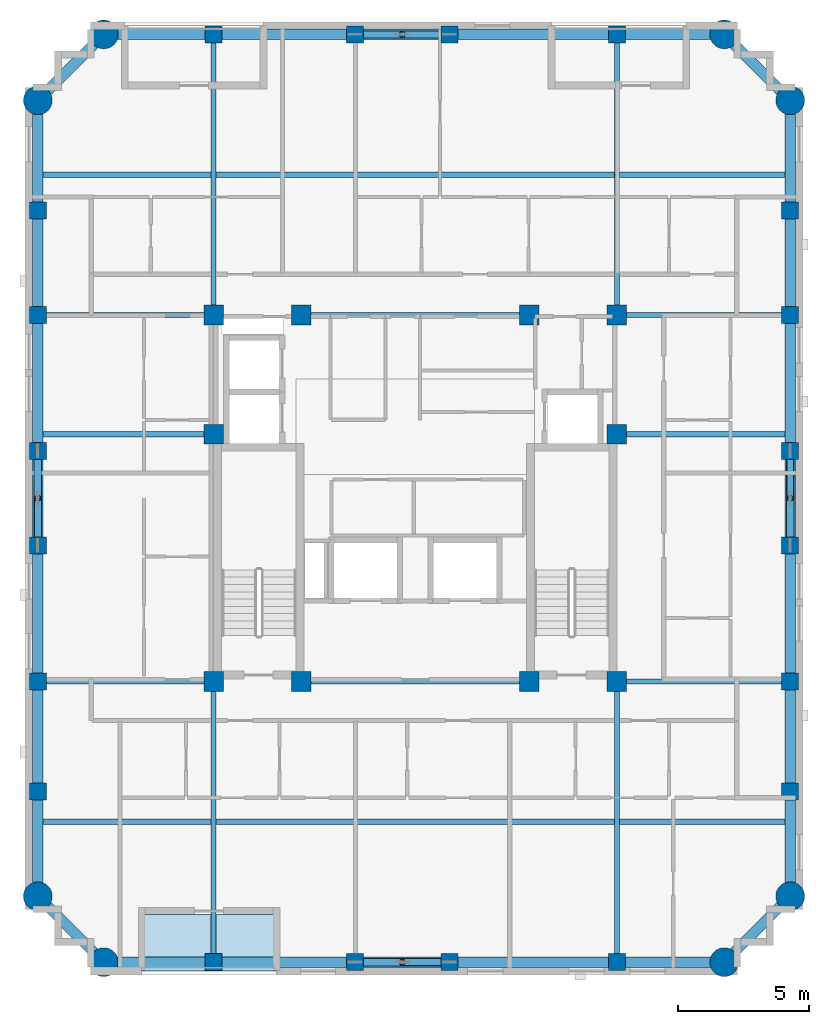
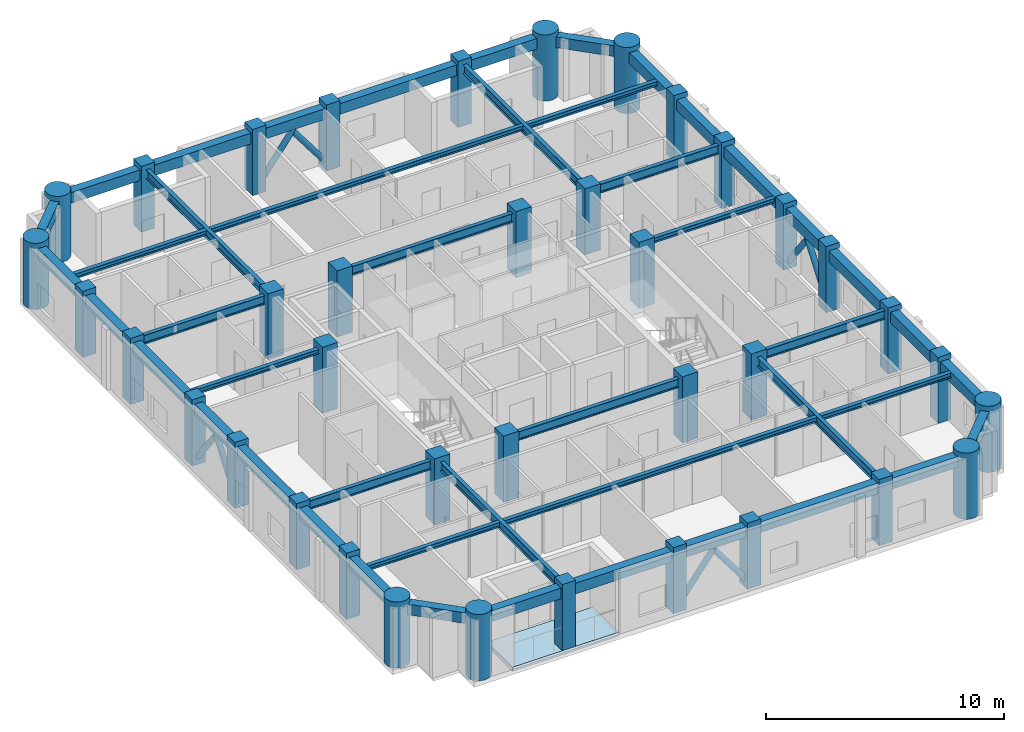
# One storey, part 1 of 10: 46 beams, 38 columns, 8 members, 1 slab.
"""IFC4 building model written with IfcOpenShell, lengths in metres."""

from ifc_helpers import new_model, si_unit, derived_unit, direction, frame, origin, origin_2d, place, context, subcontext, project, spatial, polyline, rectangle, circle, hollow_circle, i_section, outline, extrude, material, layer, layer_set, material_profile, profile_set, type_object, element, save


model = new_model("IFC4")

# Units and contexts
model_context = context("Model", 3, precision=1e-05, world=origin(), true_north=direction((0.0, 1.0)))
body_context = subcontext(model_context, "Body", "Model", "MODEL_VIEW")
ifc_project = project(units=[si_unit("LENGTHUNIT", "METRE"), si_unit("AREAUNIT", "SQUARE_METRE"), si_unit("VOLUMEUNIT", "CUBIC_METRE"), si_unit("PLANEANGLEUNIT", "RADIAN"), si_unit("MASSUNIT", "GRAM", prefix="KILO"), derived_unit("THERMALTRANSMITTANCEUNIT", [(si_unit("MASSUNIT", "GRAM", prefix="KILO"), 1), (si_unit("TIMEUNIT", "SECOND"), -3), (si_unit("THERMODYNAMICTEMPERATUREUNIT", "KELVIN"), -1)])], contexts=[model_context])

# Site, building, storey
site_placement = place(None, origin())
site = spatial("IfcSite", under=ifc_project, at=site_placement, CompositionType="ELEMENT")
building_placement = place(site_placement, origin())
building = spatial("IfcBuilding", under=site, at=building_placement, Name="Korrvale Station Residences", CompositionType="ELEMENT")
storey_placement = place(building_placement, frame((0.0, 0.0, 234.300048828125)))
storey = spatial("IfcBuildingStorey", under=building, at=storey_placement, Name="L68", CompositionType="ELEMENT", Elevation=234.300048828125)

# Columns
ifc_material_1 = material(Name="Concrete C50/60", Category="concrete")
ifc_material_profile_1 = material_profile(ifc_material_1, rectangle(XDim=0.64990234375, YDim=0.64990234375, at=origin_2d()), Name="RC650x650")
ifc_profile_set_1 = profile_set([ifc_material_profile_1], Name="Concrete C50/60")
column_type_1 = type_object("IfcColumnType", Name="COL-C-RC650x650-C5060", PredefinedType="COLUMN", material=ifc_profile_set_1)
for number, where, z_axis, x_axis, name in (
    (1, (17.800048828125, 4.280029296875, 0.0), (0.0, 0.0, 1.0), (1.0, 0.0, 0.0), "L68 Bundled-Tube South Column 02"),
    (2, (23.199951171875, 4.280029296875, 0.0), (0.0, 0.0, 1.0), (1.0, 0.0, 0.0), "L68 Bundled-Tube South Column 03"),
    (3, (26.800048828125, 4.280029296875, 0.0), (0.0, 0.0, 1.0), (1.0, 0.0, 0.0), "L68 Bundled-Tube South Column 04"),
    (4, (33.199951171875, 4.280029296875, 0.0), (0.0, 0.0, 1.0), (1.0, 0.0, 0.0), "L68 Bundled-Tube South Column 05"),
    (5, (17.800048828125, 39.719970703125, 0.0), (0.0, 0.0, 1.0), (1.0, 0.0, 0.0), "L68 Bundled-Tube North Column 08"),
    (6, (23.199951171875, 39.719970703125, 0.0), (0.0, 0.0, 1.0), (1.0, 0.0, 0.0), "L68 Bundled-Tube North Column 09"),
    (7, (26.800048828125, 39.719970703125, 0.0), (0.0, 0.0, 1.0), (1.0, 0.0, 0.0), "L68 Bundled-Tube North Column 10"),
    (8, (33.199951171875, 39.719970703125, 0.0), (0.0, 0.0, 1.0), (1.0, 0.0, 0.0), "L68 Bundled-Tube North Column 11"),
    (9, (11.080078125, 10.800048828125, 0.0), (0.0, 0.0, 1.0), (1.0, 0.0, 0.0), "L68 Bundled-Tube West Column 14"),
    (10, (11.080078125, 15.0, 0.0), (0.0, 0.0, 1.0), (1.0, 0.0, 0.0), "L68 Bundled-Tube West Column 15"),
    (11, (11.080078125, 20.199951171875, 0.0), (0.0, 0.0, 1.0), (1.0, 0.0, 0.0), "L68 Bundled-Tube West Column 16"),
    (12, (11.080078125, 23.800048828125, 0.0), (0.0, 0.0, 1.0), (1.0, 0.0, 0.0), "L68 Bundled-Tube West Column 17"),
    (13, (11.080078125, 29.0, 0.0), (0.0, 0.0, 1.0), (1.0, 0.0, 0.0), "L68 Bundled-Tube West Column 18"),
    (14, (11.080078125, 33.0, 0.0), (0.0, 0.0, 1.0), (1.0, 0.0, 0.0), "L68 Bundled-Tube West Column 19"),
    (15, (39.820068359375, 10.800048828125, 0.0), (0.0, 0.0, 1.0), (1.0, 0.0, 0.0), "L68 Bundled-Tube East Column 22"),
    (16, (39.820068359375, 15.0, 0.0), (0.0, 0.0, 1.0), (1.0, 0.0, 0.0), "L68 Bundled-Tube East Column 23"),
    (17, (39.820068359375, 20.199951171875, 0.0), (0.0, 0.0, 1.0), (1.0, 0.0, 0.0), "L68 Bundled-Tube East Column 24"),
    (18, (39.820068359375, 23.800048828125, 0.0), (0.0, 0.0, 1.0), (1.0, 0.0, 0.0), "L68 Bundled-Tube East Column 25"),
    (19, (39.820068359375, 29.0, 0.0), (0.0, 0.0, 1.0), (1.0, 0.0, 0.0), "L68 Bundled-Tube East Column 26"),
    (20, (39.820068359375, 33.0, 0.0), (0.0, 0.0, 1.0), (1.0, 0.0, 0.0), "L68 Bundled-Tube East Column 27"),
):
    element("IfcColumn", number, at=place(storey_placement, frame(where, z_axis=z_axis, x_axis=x_axis)), inside=storey, type_object=column_type_1, Name=name, PredefinedType="COLUMN", context=body_context, shape_type="SweptSolid", body=[
        extrude(rectangle(XDim=0.64990234375, YDim=0.64990234375, at=origin_2d()), origin(), (0.0, 0.0, 1.0), 3.39990234375),
    ])
ifc_material_profile_2 = material_profile(ifc_material_1, rectangle(XDim=0.75, YDim=0.75, at=origin_2d()), Name="RC750x750")
ifc_profile_set_2 = profile_set([ifc_material_profile_2], Name="Concrete C50/60")
column_type_2 = type_object("IfcColumnType", Name="COL-C-RC750x750-C5060", PredefinedType="COLUMN", material=ifc_profile_set_2)
for number, where, z_axis, x_axis, name in (
    (21, (17.800048828125, 15.0, 0.0), (0.0, 0.0, 1.0), (1.0, 0.0, 0.0), "L68 Core Column 01"),
    (22, (21.14990234375, 15.0, 0.0), (0.0, 0.0, 1.0), (1.0, 0.0, 0.0), "L68 Core Column 02"),
    (23, (29.85009765625, 15.0, 0.0), (0.0, 0.0, 1.0), (1.0, 0.0, 0.0), "L68 Core Column 03"),
    (24, (33.199951171875, 15.0, 0.0), (0.0, 0.0, 1.0), (1.0, 0.0, 0.0), "L68 Core Column 04"),
    (25, (17.800048828125, 29.0, 0.0), (0.0, 0.0, 1.0), (1.0, 0.0, 0.0), "L68 Core Column 05"),
    (26, (21.14990234375, 29.0, 0.0), (0.0, 0.0, 1.0), (1.0, 0.0, 0.0), "L68 Core Column 06"),
    (27, (29.85009765625, 29.0, 0.0), (0.0, 0.0, 1.0), (1.0, 0.0, 0.0), "L68 Core Column 07"),
    (28, (33.199951171875, 29.0, 0.0), (0.0, 0.0, 1.0), (1.0, 0.0, 0.0), "L68 Core Column 08"),
    (29, (17.800048828125, 24.449951171875, 0.0), (0.0, 0.0, 1.0), (1.0, 0.0, 0.0), "L68 Core Column 09"),
    (30, (33.199951171875, 24.449951171875, 0.0), (0.0, 0.0, 1.0), (1.0, 0.0, 0.0), "L68 Core Column 10"),
):
    element("IfcColumn", number, at=place(storey_placement, frame(where, z_axis=z_axis, x_axis=x_axis)), inside=storey, type_object=column_type_2, Name=name, PredefinedType="COLUMN", context=body_context, shape_type="SweptSolid", body=[
        extrude(rectangle(XDim=0.75, YDim=0.75, at=origin_2d()), origin(), (0.0, 0.0, 1.0), 3.39990234375),
    ])
ifc_material_profile_3 = material_profile(ifc_material_1, circle(Radius=0.550048828125, at=origin_2d()), Name="RCC1100")
ifc_profile_set_3 = profile_set([ifc_material_profile_3], Name="Concrete C50/60")
column_type_3 = type_object("IfcColumnType", Name="COL-C-RCC1100-C5060", PredefinedType="COLUMN", material=ifc_profile_set_3)
for number, where, z_axis, x_axis, name in (
    (31, (13.60009765625, 4.280029296875, 0.0), (0.0, 0.0, 1.0), (1.0, 0.0, 0.0), "L68 Bundled-Tube South Column 01"),
    (32, (37.300048828125, 4.280029296875, 0.0), (0.0, 0.0, 1.0), (1.0, 0.0, 0.0), "L68 Bundled-Tube South Column 06"),
    (33, (13.60009765625, 39.719970703125, 0.0), (0.0, 0.0, 1.0), (1.0, 0.0, 0.0), "L68 Bundled-Tube North Column 07"),
    (34, (37.300048828125, 39.719970703125, 0.0), (0.0, 0.0, 1.0), (1.0, 0.0, 0.0), "L68 Bundled-Tube North Column 12"),
    (35, (11.080078125, 6.800048828125, 0.0), (0.0, 0.0, 1.0), (1.0, 0.0, 0.0), "L68 Bundled-Tube West Column 13"),
    (36, (11.080078125, 37.199951171875, 0.0), (0.0, 0.0, 1.0), (1.0, 0.0, 0.0), "L68 Bundled-Tube West Column 20"),
    (37, (39.820068359375, 6.800048828125, 0.0), (0.0, 0.0, 1.0), (1.0, 0.0, 0.0), "L68 Bundled-Tube East Column 21"),
    (38, (39.820068359375, 37.199951171875, 0.0), (0.0, 0.0, 1.0), (1.0, 0.0, 0.0), "L68 Bundled-Tube East Column 28"),
):
    element("IfcColumn", number, at=place(storey_placement, frame(where, z_axis=z_axis, x_axis=x_axis)), inside=storey, type_object=column_type_3, Name=name, PredefinedType="COLUMN", context=body_context, shape_type="SweptSolid", body=[
        extrude(circle(Radius=0.550048828125, at=origin_2d()), origin(), (0.0, 0.0, 1.0), 3.39990234375),
    ])

# Beams
ifc_material_2 = material(Name="Steel S355", Category="steel")
ifc_material_profile_4 = material_profile(ifc_material_2, i_section(OverallWidth=0.18994140625, OverallDepth=0.45703125, WebThickness=0.009033203125, FlangeThickness=0.014404296875, FilletRadius=0.01611328125, at=origin_2d()), Name="W460x74")
ifc_profile_set_4 = profile_set([ifc_material_profile_4], Name="Steel S355")
beam_type_1 = type_object("IfcBeamType", Name="BM-BM-W460x74-S355", PredefinedType="BEAM", material=ifc_profile_set_4)
for number, where, z_axis, x_axis, name in (
    (39, (17.800048828125, 4.280029296875, 2.911376953125), (0.0, 1.0, 0.0), (-1.0, 0.0, 0.0), "L68 Bundled-Tube Web Girder 01"),
    (40, (33.199951171875, 4.280029296875, 2.911376953125), (0.0, 1.0, 0.0), (-1.0, 0.0, 0.0), "L68 Bundled-Tube Web Girder 02"),
    (41, (17.800048828125, 29.0, 2.911376953125), (0.0, 1.0, 0.0), (-1.0, 0.0, 0.0), "L68 Bundled-Tube Web Girder 03"),
    (42, (33.199951171875, 29.0, 2.911376953125), (0.0, 1.0, 0.0), (-1.0, 0.0, 0.0), "L68 Bundled-Tube Web Girder 04"),
):
    element("IfcBeam", number, at=place(storey_placement, frame(where, z_axis=z_axis, x_axis=x_axis)), inside=storey, type_object=beam_type_1, Name=name, PredefinedType="BEAM", context=body_context, shape_type="SweptSolid", body=[
        extrude(i_section(OverallWidth=0.18994140625, OverallDepth=0.45703125, WebThickness=0.009033203125, FlangeThickness=0.014404296875, FilletRadius=0.01611328125, at=origin_2d()), origin(), (0.0, 0.0, 1.0), 10.719970703125),
    ])
beam_1_placement = place(storey_placement, frame((11.080078125, 15.0, 2.911376953125), z_axis=(1.0, 0.0, 0.0), x_axis=(0.0, 1.0, 0.0)))
element("IfcBeam", 43, at=beam_1_placement, inside=storey, type_object=beam_type_1, Name="L68 Bundled-Tube Web Girder 05", PredefinedType="BEAM", context=body_context, shape_type="SweptSolid", body=[
    extrude(i_section(OverallWidth=0.18994140625, OverallDepth=0.45703125, WebThickness=0.009033203125, FlangeThickness=0.014404296875, FilletRadius=0.01611328125, at=origin_2d()), origin(), (0.0, 0.0, 1.0), 6.719970703125),
])
beam_2_placement = place(storey_placement, frame((33.199951171875, 15.0, 2.911376953125), z_axis=(1.0, 0.0, 0.0), x_axis=(0.0, 1.0, 0.0)))
element("IfcBeam", 44, at=beam_2_placement, inside=storey, type_object=beam_type_1, Name="L68 Bundled-Tube Web Girder 06", PredefinedType="BEAM", context=body_context, shape_type="SweptSolid", body=[
    extrude(i_section(OverallWidth=0.18994140625, OverallDepth=0.45703125, WebThickness=0.009033203125, FlangeThickness=0.014404296875, FilletRadius=0.01611328125, at=origin_2d()), origin(), (0.0, 0.0, 1.0), 6.6201171875),
])
beam_3_placement = place(storey_placement, frame((11.080078125, 29.0, 2.911376953125), z_axis=(1.0, 0.0, 0.0), x_axis=(0.0, 1.0, 0.0)))
element("IfcBeam", 45, at=beam_3_placement, inside=storey, type_object=beam_type_1, Name="L68 Bundled-Tube Web Girder 07", PredefinedType="BEAM", context=body_context, shape_type="SweptSolid", body=[
    extrude(i_section(OverallWidth=0.18994140625, OverallDepth=0.45703125, WebThickness=0.009033203125, FlangeThickness=0.014404296875, FilletRadius=0.01611328125, at=origin_2d()), origin(), (0.0, 0.0, 1.0), 6.719970703125),
])
beam_4_placement = place(storey_placement, frame((33.199951171875, 29.0, 2.911376953125), z_axis=(1.0, 0.0, 0.0), x_axis=(0.0, 1.0, 0.0)))
element("IfcBeam", 46, at=beam_4_placement, inside=storey, type_object=beam_type_1, Name="L68 Bundled-Tube Web Girder 08", PredefinedType="BEAM", context=body_context, shape_type="SweptSolid", body=[
    extrude(i_section(OverallWidth=0.18994140625, OverallDepth=0.45703125, WebThickness=0.009033203125, FlangeThickness=0.014404296875, FilletRadius=0.01611328125, at=origin_2d()), origin(), (0.0, 0.0, 1.0), 6.6201171875),
])
for number, where, z_axis, x_axis, name in (
    (47, (21.14990234375, 15.0, 2.911376953125), (1.0, 0.0, 0.0), (0.0, 1.0, 0.0), "L68 Bundled-Tube Web Girder 09"),
    (48, (21.14990234375, 29.0, 2.911376953125), (1.0, 0.0, 0.0), (0.0, 1.0, 0.0), "L68 Bundled-Tube Web Girder 10"),
):
    element("IfcBeam", number, at=place(storey_placement, frame(where, z_axis=z_axis, x_axis=x_axis)), inside=storey, type_object=beam_type_1, Name=name, PredefinedType="BEAM", context=body_context, shape_type="SweptSolid", body=[
        extrude(i_section(OverallWidth=0.18994140625, OverallDepth=0.45703125, WebThickness=0.009033203125, FlangeThickness=0.014404296875, FilletRadius=0.01611328125, at=origin_2d()), origin(), (0.0, 0.0, 1.0), 8.7001953125),
    ])
ifc_material_profile_5 = material_profile(ifc_material_2, i_section(OverallWidth=0.201904296875, OverallDepth=0.2470703125, WebThickness=0.00732421875, FlangeThickness=0.010986328125, FilletRadius=0.012939453125, at=origin_2d()), Name="W250x49")
ifc_profile_set_5 = profile_set([ifc_material_profile_5], Name="Steel S355")
beam_type_2 = type_object("IfcBeamType", Name="BM-JST-W250x49-S355", PredefinedType="JOIST", material=ifc_profile_set_5)
beam_5_placement = place(storey_placement, frame((11.280029296875, 9.639892578125, 3.016357421875), z_axis=(1.0, 0.0, 0.0), x_axis=(0.0, 1.0, 0.0)))
element("IfcBeam", 49, at=beam_5_placement, inside=storey, type_object=beam_type_2, Name="L68 Floor Framing Joist 01", PredefinedType="JOIST", context=body_context, shape_type="SweptSolid", body=[
    extrude(i_section(OverallWidth=0.201904296875, OverallDepth=0.2470703125, WebThickness=0.00732421875, FlangeThickness=0.010986328125, FilletRadius=0.012939453125, at=origin_2d()), origin(), (0.0, 0.0, 1.0), 6.425048828125),
])
beam_6_placement = place(storey_placement, frame((17.89501953125, 9.639892578125, 3.016357421875), z_axis=(1.0, 0.0, 0.0), x_axis=(0.0, 1.0, 0.0)))
element("IfcBeam", 50, at=beam_6_placement, inside=storey, type_object=beam_type_2, Name="L68 Floor Framing Joist 02", PredefinedType="JOIST", context=body_context, shape_type="SweptSolid", body=[
    extrude(i_section(OverallWidth=0.201904296875, OverallDepth=0.2470703125, WebThickness=0.00732421875, FlangeThickness=0.010986328125, FilletRadius=0.012939453125, at=origin_2d()), origin(), (0.0, 0.0, 1.0), 15.2099609375),
])
beam_7_placement = place(storey_placement, frame((33.294921875, 9.639892578125, 3.016357421875), z_axis=(1.0, 0.0, 0.0), x_axis=(0.0, 1.0, 0.0)))
element("IfcBeam", 51, at=beam_7_placement, inside=storey, type_object=beam_type_2, Name="L68 Floor Framing Joist 03", PredefinedType="JOIST", context=body_context, shape_type="SweptSolid", body=[
    extrude(i_section(OverallWidth=0.201904296875, OverallDepth=0.2470703125, WebThickness=0.00732421875, FlangeThickness=0.010986328125, FilletRadius=0.012939453125, at=origin_2d()), origin(), (0.0, 0.0, 1.0), 6.3251953125),
])
beam_8_placement = place(storey_placement, frame((11.280029296875, 34.360107421875, 3.016357421875), z_axis=(1.0, 0.0, 0.0), x_axis=(0.0, 1.0, 0.0)))
element("IfcBeam", 52, at=beam_8_placement, inside=storey, type_object=beam_type_2, Name="L68 Floor Framing Joist 04", PredefinedType="JOIST", context=body_context, shape_type="SweptSolid", body=[
    extrude(i_section(OverallWidth=0.201904296875, OverallDepth=0.2470703125, WebThickness=0.00732421875, FlangeThickness=0.010986328125, FilletRadius=0.012939453125, at=origin_2d()), origin(), (0.0, 0.0, 1.0), 6.425048828125),
])
beam_9_placement = place(storey_placement, frame((17.89501953125, 34.360107421875, 3.016357421875), z_axis=(1.0, 0.0, 0.0), x_axis=(0.0, 1.0, 0.0)))
element("IfcBeam", 53, at=beam_9_placement, inside=storey, type_object=beam_type_2, Name="L68 Floor Framing Joist 05", PredefinedType="JOIST", context=body_context, shape_type="SweptSolid", body=[
    extrude(i_section(OverallWidth=0.201904296875, OverallDepth=0.2470703125, WebThickness=0.00732421875, FlangeThickness=0.010986328125, FilletRadius=0.012939453125, at=origin_2d()), origin(), (0.0, 0.0, 1.0), 15.2099609375),
])
beam_10_placement = place(storey_placement, frame((33.294921875, 34.360107421875, 3.016357421875), z_axis=(1.0, 0.0, 0.0), x_axis=(0.0, 1.0, 0.0)))
element("IfcBeam", 54, at=beam_10_placement, inside=storey, type_object=beam_type_2, Name="L68 Floor Framing Joist 06", PredefinedType="JOIST", context=body_context, shape_type="SweptSolid", body=[
    extrude(i_section(OverallWidth=0.201904296875, OverallDepth=0.2470703125, WebThickness=0.00732421875, FlangeThickness=0.010986328125, FilletRadius=0.012939453125, at=origin_2d()), origin(), (0.0, 0.0, 1.0), 6.3251953125),
])
beam_11_placement = place(storey_placement, frame((33.199951171875, 24.449951171875, 3.016357421875), z_axis=(1.0, 0.0, 0.0), x_axis=(0.0, 1.0, 0.0)))
element("IfcBeam", 55, at=beam_11_placement, inside=storey, type_object=beam_type_2, Name="L68 Floor Framing Joist 07", PredefinedType="JOIST", context=body_context, shape_type="SweptSolid", body=[
    extrude(i_section(OverallWidth=0.201904296875, OverallDepth=0.2470703125, WebThickness=0.00732421875, FlangeThickness=0.010986328125, FilletRadius=0.012939453125, at=origin_2d()), origin(), (0.0, 0.0, 1.0), 6.420166015625),
])
beam_12_placement = place(storey_placement, frame((11.280029296875, 24.449951171875, 3.016357421875), z_axis=(1.0, 0.0, 0.0), x_axis=(0.0, 1.0, 0.0)))
element("IfcBeam", 56, at=beam_12_placement, inside=storey, type_object=beam_type_2, Name="L68 Floor Framing Joist 08", PredefinedType="JOIST", context=body_context, shape_type="SweptSolid", body=[
    extrude(i_section(OverallWidth=0.201904296875, OverallDepth=0.2470703125, WebThickness=0.00732421875, FlangeThickness=0.010986328125, FilletRadius=0.012939453125, at=origin_2d()), origin(), (0.0, 0.0, 1.0), 6.52001953125),
])
ifc_material_profile_6 = material_profile(ifc_material_1, rectangle(XDim=0.39990234375, YDim=0.550048828125, at=origin_2d()), Name="RCB400x550")
ifc_profile_set_6 = profile_set([ifc_material_profile_6], Name="Concrete C50/60")
beam_type_3 = type_object("IfcBeamType", Name="BM-SPB-RCB400x550-C5060", PredefinedType="SPANDREL", material=ifc_profile_set_6)
beam_13_placement = place(storey_placement, frame((13.60009765625, 4.280029296875, 2.864990234375), z_axis=(1.0, 0.0, 0.0), x_axis=(0.0, 1.0, 0.0)))
element("IfcBeam", 57, at=beam_13_placement, inside=storey, type_object=beam_type_3, Name="L68 South Tube Spandrel 01", PredefinedType="SPANDREL", context=body_context, shape_type="SweptSolid", body=[
    extrude(rectangle(XDim=0.39990234375, YDim=0.550048828125, at=origin_2d()), origin(), (0.0, 0.0, 1.0), 4.199951171875),
])
beam_14_placement = place(storey_placement, frame((17.800048828125, 4.280029296875, 2.864990234375), z_axis=(1.0, 0.0, 0.0), x_axis=(0.0, 1.0, 0.0)))
element("IfcBeam", 58, at=beam_14_placement, inside=storey, type_object=beam_type_3, Name="L68 South Tube Spandrel 02", PredefinedType="SPANDREL", context=body_context, shape_type="SweptSolid", body=[
    extrude(rectangle(XDim=0.39990234375, YDim=0.550048828125, at=origin_2d()), origin(), (0.0, 0.0, 1.0), 5.39990234375),
])
beam_15_placement = place(storey_placement, frame((23.199951171875, 4.280029296875, 2.864990234375), z_axis=(1.0, 0.0, 0.0), x_axis=(0.0, 1.0, 0.0)))
element("IfcBeam", 59, at=beam_15_placement, inside=storey, type_object=beam_type_3, Name="L68 South Tube Spandrel 03", PredefinedType="SPANDREL", context=body_context, shape_type="SweptSolid", body=[
    extrude(rectangle(XDim=0.39990234375, YDim=0.550048828125, at=origin_2d()), origin(), (0.0, 0.0, 1.0), 3.60009765625),
])
beam_16_placement = place(storey_placement, frame((26.800048828125, 4.280029296875, 2.864990234375), z_axis=(1.0, 0.0, 0.0), x_axis=(0.0, 1.0, 0.0)))
element("IfcBeam", 60, at=beam_16_placement, inside=storey, type_object=beam_type_3, Name="L68 South Tube Spandrel 04", PredefinedType="SPANDREL", context=body_context, shape_type="SweptSolid", body=[
    extrude(rectangle(XDim=0.39990234375, YDim=0.550048828125, at=origin_2d()), origin(), (0.0, 0.0, 1.0), 6.39990234375),
])
beam_17_placement = place(storey_placement, frame((33.199951171875, 4.280029296875, 2.864990234375), z_axis=(1.0, 0.0, 0.0), x_axis=(0.0, 1.0, 0.0)))
element("IfcBeam", 61, at=beam_17_placement, inside=storey, type_object=beam_type_3, Name="L68 South Tube Spandrel 05", PredefinedType="SPANDREL", context=body_context, shape_type="SweptSolid", body=[
    extrude(rectangle(XDim=0.39990234375, YDim=0.550048828125, at=origin_2d()), origin(), (0.0, 0.0, 1.0), 4.10009765625),
])
beam_18_placement = place(storey_placement, frame((13.60009765625, 39.719970703125, 2.864990234375), z_axis=(1.0, 0.0, 0.0), x_axis=(0.0, 1.0, 0.0)))
element("IfcBeam", 62, at=beam_18_placement, inside=storey, type_object=beam_type_3, Name="L68 North Tube Spandrel 06", PredefinedType="SPANDREL", context=body_context, shape_type="SweptSolid", body=[
    extrude(rectangle(XDim=0.39990234375, YDim=0.550048828125, at=origin_2d()), origin(), (0.0, 0.0, 1.0), 4.199951171875),
])
beam_19_placement = place(storey_placement, frame((17.800048828125, 39.719970703125, 2.864990234375), z_axis=(1.0, 0.0, 0.0), x_axis=(0.0, 1.0, 0.0)))
element("IfcBeam", 63, at=beam_19_placement, inside=storey, type_object=beam_type_3, Name="L68 North Tube Spandrel 07", PredefinedType="SPANDREL", context=body_context, shape_type="SweptSolid", body=[
    extrude(rectangle(XDim=0.39990234375, YDim=0.550048828125, at=origin_2d()), origin(), (0.0, 0.0, 1.0), 5.39990234375),
])
beam_20_placement = place(storey_placement, frame((23.199951171875, 39.719970703125, 2.864990234375), z_axis=(1.0, 0.0, 0.0), x_axis=(0.0, 1.0, 0.0)))
element("IfcBeam", 64, at=beam_20_placement, inside=storey, type_object=beam_type_3, Name="L68 North Tube Spandrel 08", PredefinedType="SPANDREL", context=body_context, shape_type="SweptSolid", body=[
    extrude(rectangle(XDim=0.39990234375, YDim=0.550048828125, at=origin_2d()), origin(), (0.0, 0.0, 1.0), 3.60009765625),
])
beam_21_placement = place(storey_placement, frame((26.800048828125, 39.719970703125, 2.864990234375), z_axis=(1.0, 0.0, 0.0), x_axis=(0.0, 1.0, 0.0)))
element("IfcBeam", 65, at=beam_21_placement, inside=storey, type_object=beam_type_3, Name="L68 North Tube Spandrel 09", PredefinedType="SPANDREL", context=body_context, shape_type="SweptSolid", body=[
    extrude(rectangle(XDim=0.39990234375, YDim=0.550048828125, at=origin_2d()), origin(), (0.0, 0.0, 1.0), 6.39990234375),
])
beam_22_placement = place(storey_placement, frame((33.199951171875, 39.719970703125, 2.864990234375), z_axis=(1.0, 0.0, 0.0), x_axis=(0.0, 1.0, 0.0)))
element("IfcBeam", 66, at=beam_22_placement, inside=storey, type_object=beam_type_3, Name="L68 North Tube Spandrel 10", PredefinedType="SPANDREL", context=body_context, shape_type="SweptSolid", body=[
    extrude(rectangle(XDim=0.39990234375, YDim=0.550048828125, at=origin_2d()), origin(), (0.0, 0.0, 1.0), 4.10009765625),
])
beam_23_placement = place(storey_placement, frame((11.080078125, 6.800048828125, 2.864990234375), z_axis=(0.0, 1.0, 0.0), x_axis=(-1.0, 0.0, 0.0)))
element("IfcBeam", 67, at=beam_23_placement, inside=storey, type_object=beam_type_3, Name="L68 West Tube Spandrel 11", PredefinedType="SPANDREL", context=body_context, shape_type="SweptSolid", body=[
    extrude(rectangle(XDim=0.39990234375, YDim=0.550048828125, at=origin_2d()), origin(), (0.0, 0.0, 1.0), 4.0),
])
beam_24_placement = place(storey_placement, frame((11.080078125, 10.800048828125, 2.864990234375), z_axis=(0.0, 1.0, 0.0), x_axis=(-1.0, 0.0, 0.0)))
element("IfcBeam", 68, at=beam_24_placement, inside=storey, type_object=beam_type_3, Name="L68 West Tube Spandrel 12", PredefinedType="SPANDREL", context=body_context, shape_type="SweptSolid", body=[
    extrude(rectangle(XDim=0.39990234375, YDim=0.550048828125, at=origin_2d()), origin(), (0.0, 0.0, 1.0), 4.199951171875),
])
beam_25_placement = place(storey_placement, frame((11.080078125, 15.0, 2.864990234375), z_axis=(0.0, 1.0, 0.0), x_axis=(-1.0, 0.0, 0.0)))
element("IfcBeam", 69, at=beam_25_placement, inside=storey, type_object=beam_type_3, Name="L68 West Tube Spandrel 13", PredefinedType="SPANDREL", context=body_context, shape_type="SweptSolid", body=[
    extrude(rectangle(XDim=0.39990234375, YDim=0.550048828125, at=origin_2d()), origin(), (0.0, 0.0, 1.0), 5.199951171875),
])
beam_26_placement = place(storey_placement, frame((11.080078125, 20.199951171875, 2.864990234375), z_axis=(0.0, 1.0, 0.0), x_axis=(-1.0, 0.0, 0.0)))
element("IfcBeam", 70, at=beam_26_placement, inside=storey, type_object=beam_type_3, Name="L68 West Tube Spandrel 14", PredefinedType="SPANDREL", context=body_context, shape_type="SweptSolid", body=[
    extrude(rectangle(XDim=0.39990234375, YDim=0.550048828125, at=origin_2d()), origin(), (0.0, 0.0, 1.0), 3.60009765625),
])
beam_27_placement = place(storey_placement, frame((11.080078125, 23.800048828125, 2.864990234375), z_axis=(0.0, 1.0, 0.0), x_axis=(-1.0, 0.0, 0.0)))
element("IfcBeam", 71, at=beam_27_placement, inside=storey, type_object=beam_type_3, Name="L68 West Tube Spandrel 15", PredefinedType="SPANDREL", context=body_context, shape_type="SweptSolid", body=[
    extrude(rectangle(XDim=0.39990234375, YDim=0.550048828125, at=origin_2d()), origin(), (0.0, 0.0, 1.0), 5.199951171875),
])
beam_28_placement = place(storey_placement, frame((11.080078125, 29.0, 2.864990234375), z_axis=(0.0, 1.0, 0.0), x_axis=(-1.0, 0.0, 0.0)))
element("IfcBeam", 72, at=beam_28_placement, inside=storey, type_object=beam_type_3, Name="L68 West Tube Spandrel 16", PredefinedType="SPANDREL", context=body_context, shape_type="SweptSolid", body=[
    extrude(rectangle(XDim=0.39990234375, YDim=0.550048828125, at=origin_2d()), origin(), (0.0, 0.0, 1.0), 4.0),
])
beam_29_placement = place(storey_placement, frame((11.080078125, 33.0, 2.864990234375), z_axis=(0.0, 1.0, 0.0), x_axis=(-1.0, 0.0, 0.0)))
element("IfcBeam", 73, at=beam_29_placement, inside=storey, type_object=beam_type_3, Name="L68 West Tube Spandrel 17", PredefinedType="SPANDREL", context=body_context, shape_type="SweptSolid", body=[
    extrude(rectangle(XDim=0.39990234375, YDim=0.550048828125, at=origin_2d()), origin(), (0.0, 0.0, 1.0), 4.199951171875),
])
beam_30_placement = place(storey_placement, frame((39.820068359375, 6.800048828125, 2.864990234375), z_axis=(0.0, 1.0, 0.0), x_axis=(-1.0, 0.0, 0.0)))
element("IfcBeam", 74, at=beam_30_placement, inside=storey, type_object=beam_type_3, Name="L68 East Tube Spandrel 18", PredefinedType="SPANDREL", context=body_context, shape_type="SweptSolid", body=[
    extrude(rectangle(XDim=0.39990234375, YDim=0.550048828125, at=origin_2d()), origin(), (0.0, 0.0, 1.0), 4.0),
])
beam_31_placement = place(storey_placement, frame((39.820068359375, 10.800048828125, 2.864990234375), z_axis=(0.0, 1.0, 0.0), x_axis=(-1.0, 0.0, 0.0)))
element("IfcBeam", 75, at=beam_31_placement, inside=storey, type_object=beam_type_3, Name="L68 East Tube Spandrel 19", PredefinedType="SPANDREL", context=body_context, shape_type="SweptSolid", body=[
    extrude(rectangle(XDim=0.39990234375, YDim=0.550048828125, at=origin_2d()), origin(), (0.0, 0.0, 1.0), 4.199951171875),
])
beam_32_placement = place(storey_placement, frame((39.820068359375, 15.0, 2.864990234375), z_axis=(0.0, 1.0, 0.0), x_axis=(-1.0, 0.0, 0.0)))
element("IfcBeam", 76, at=beam_32_placement, inside=storey, type_object=beam_type_3, Name="L68 East Tube Spandrel 20", PredefinedType="SPANDREL", context=body_context, shape_type="SweptSolid", body=[
    extrude(rectangle(XDim=0.39990234375, YDim=0.550048828125, at=origin_2d()), origin(), (0.0, 0.0, 1.0), 5.199951171875),
])
beam_33_placement = place(storey_placement, frame((39.820068359375, 20.199951171875, 2.864990234375), z_axis=(0.0, 1.0, 0.0), x_axis=(-1.0, 0.0, 0.0)))
element("IfcBeam", 77, at=beam_33_placement, inside=storey, type_object=beam_type_3, Name="L68 East Tube Spandrel 21", PredefinedType="SPANDREL", context=body_context, shape_type="SweptSolid", body=[
    extrude(rectangle(XDim=0.39990234375, YDim=0.550048828125, at=origin_2d()), origin(), (0.0, 0.0, 1.0), 3.60009765625),
])
beam_34_placement = place(storey_placement, frame((39.820068359375, 23.800048828125, 2.864990234375), z_axis=(0.0, 1.0, 0.0), x_axis=(-1.0, 0.0, 0.0)))
element("IfcBeam", 78, at=beam_34_placement, inside=storey, type_object=beam_type_3, Name="L68 East Tube Spandrel 22", PredefinedType="SPANDREL", context=body_context, shape_type="SweptSolid", body=[
    extrude(rectangle(XDim=0.39990234375, YDim=0.550048828125, at=origin_2d()), origin(), (0.0, 0.0, 1.0), 5.199951171875),
])
beam_35_placement = place(storey_placement, frame((39.820068359375, 29.0, 2.864990234375), z_axis=(0.0, 1.0, 0.0), x_axis=(-1.0, 0.0, 0.0)))
element("IfcBeam", 79, at=beam_35_placement, inside=storey, type_object=beam_type_3, Name="L68 East Tube Spandrel 23", PredefinedType="SPANDREL", context=body_context, shape_type="SweptSolid", body=[
    extrude(rectangle(XDim=0.39990234375, YDim=0.550048828125, at=origin_2d()), origin(), (0.0, 0.0, 1.0), 4.0),
])
beam_36_placement = place(storey_placement, frame((39.820068359375, 33.0, 2.864990234375), z_axis=(0.0, 1.0, 0.0), x_axis=(-1.0, 0.0, 0.0)))
element("IfcBeam", 80, at=beam_36_placement, inside=storey, type_object=beam_type_3, Name="L68 East Tube Spandrel 24", PredefinedType="SPANDREL", context=body_context, shape_type="SweptSolid", body=[
    extrude(rectangle(XDim=0.39990234375, YDim=0.550048828125, at=origin_2d()), origin(), (0.0, 0.0, 1.0), 4.199951171875),
])
for number, where, z_axis, x_axis, name in (
    (81, (13.60009765625, 4.280029296875, 2.864990234375), (-0.707106781187, 0.707106781187, 0.0), (-0.707106781187, -0.707106781187, 0.0), "L68 Serrated Corner Spandrel 25"),
    (82, (37.300048828125, 4.280029296875, 2.864990234375), (0.707106781187, 0.707106781187, 0.0), (-0.707106781187, 0.707106781187, 0.0), "L68 Serrated Corner Spandrel 26"),
    (83, (37.300048828125, 39.719970703125, 2.864990234375), (0.707106781187, -0.707106781187, 0.0), (0.707106781187, 0.707106781187, 0.0), "L68 Serrated Corner Spandrel 27"),
    (84, (13.60009765625, 39.719970703125, 2.864990234375), (-0.707106781187, -0.707106781187, 0.0), (0.707106781187, -0.707106781187, 0.0), "L68 Serrated Corner Spandrel 28"),
):
    element("IfcBeam", number, at=place(storey_placement, frame(where, z_axis=z_axis, x_axis=x_axis)), inside=storey, type_object=beam_type_3, Name=name, PredefinedType="SPANDREL", context=body_context, shape_type="SweptSolid", body=[
        extrude(rectangle(XDim=0.39990234375, YDim=0.550048828125, at=origin_2d()), origin(), (0.0, 0.0, 1.0), 3.56396484375),
    ])

# Members
ifc_material_profile_7 = material_profile(ifc_material_2, hollow_circle(Radius=0.136474609375, WallThickness=0.015869140625, at=origin_2d()), Name="HSS273x16")
ifc_profile_set_7 = profile_set([ifc_material_profile_7], Name="Steel S355")
member_type = type_object("IfcMemberType", Name="MBR-BR-HSS273x16", PredefinedType="BRACE", material=ifc_profile_set_7)
for number, where, z_axis, x_axis, name in (
    (85, (23.199951171875, 4.280029296875, 0.02001953125), (0.601630735092, 0.0, 0.798774347731), (0.0, 1.0, 0.0), "L68 S Perimeter Tube Wind Brace 1"),
    (86, (26.800048828125, 4.280029296875, 0.02001953125), (-0.601630735092, 0.0, 0.798774347731), (0.0, -1.0, 0.0), "L68 S Perimeter Tube Wind Brace 2"),
    (87, (23.199951171875, 39.719970703125, 0.02001953125), (0.601630735092, 0.0, 0.798774347731), (0.0, 1.0, 0.0), "L68 N Perimeter Tube Wind Brace 1"),
    (88, (26.800048828125, 39.719970703125, 0.02001953125), (-0.601630735092, 0.0, 0.798774347731), (0.0, -1.0, 0.0), "L68 N Perimeter Tube Wind Brace 2"),
    (89, (11.080078125, 20.199951171875, 0.02001953125), (0.0, 0.601630735092, 0.798774347731), (-1.0, 0.0, 0.0), "L68 W Perimeter Tube Wind Brace 1"),
    (90, (11.080078125, 23.800048828125, 0.02001953125), (0.0, -0.601630735092, 0.798774347731), (1.0, 0.0, 0.0), "L68 W Perimeter Tube Wind Brace 2"),
    (91, (39.820068359375, 20.199951171875, 0.02001953125), (0.0, 0.601630735092, 0.798774347731), (-1.0, 0.0, 0.0), "L68 E Perimeter Tube Wind Brace 1"),
    (92, (39.820068359375, 23.800048828125, 0.02001953125), (0.0, -0.601630735092, 0.798774347731), (1.0, 0.0, 0.0), "L68 E Perimeter Tube Wind Brace 2"),
):
    element("IfcMember", number, at=place(storey_placement, frame(where, z_axis=z_axis, x_axis=x_axis)), inside=storey, type_object=member_type, Name=name, PredefinedType="BRACE", context=body_context, shape_type="SweptSolid", body=[
        extrude(hollow_circle(Radius=0.136474609375, WallThickness=0.015869140625, at=origin_2d()), origin(), (0.0, 0.0, 1.0), 2.991943359375),
    ])

# Slab
ifc_layer = layer(ifc_material_1, 0.219970703125, Name="Concrete C50/60")
ifc_layer_set = layer_set([ifc_layer], Name="Concrete C50/60")
slab_type = type_object("IfcSlabType", Name="SLB-BAL-220", PredefinedType="FLOOR", material=ifc_layer_set)
slab_placement = place(storey_placement, frame((0.0, 0.0, -0.219970703125)))
element("IfcSlab", 93, at=slab_placement, inside=storey, type_object=slab_type, Name="L68 Recessed Loggia Balcony Slab BAL-L68-S1", PredefinedType="FLOOR", context=body_context, shape_type="SweptSolid", body=[
    extrude(outline(polyline([(15.050048828125, 3.949951171875), (20.199951171875, 3.949951171875), (20.199951171875, 6.10009765625), (15.050048828125, 6.10009765625), (15.050048828125, 3.949951171875)])), origin(), (0.0, 0.0, 1.0), 0.219970703125),
])

save(model, "model.ifc")
